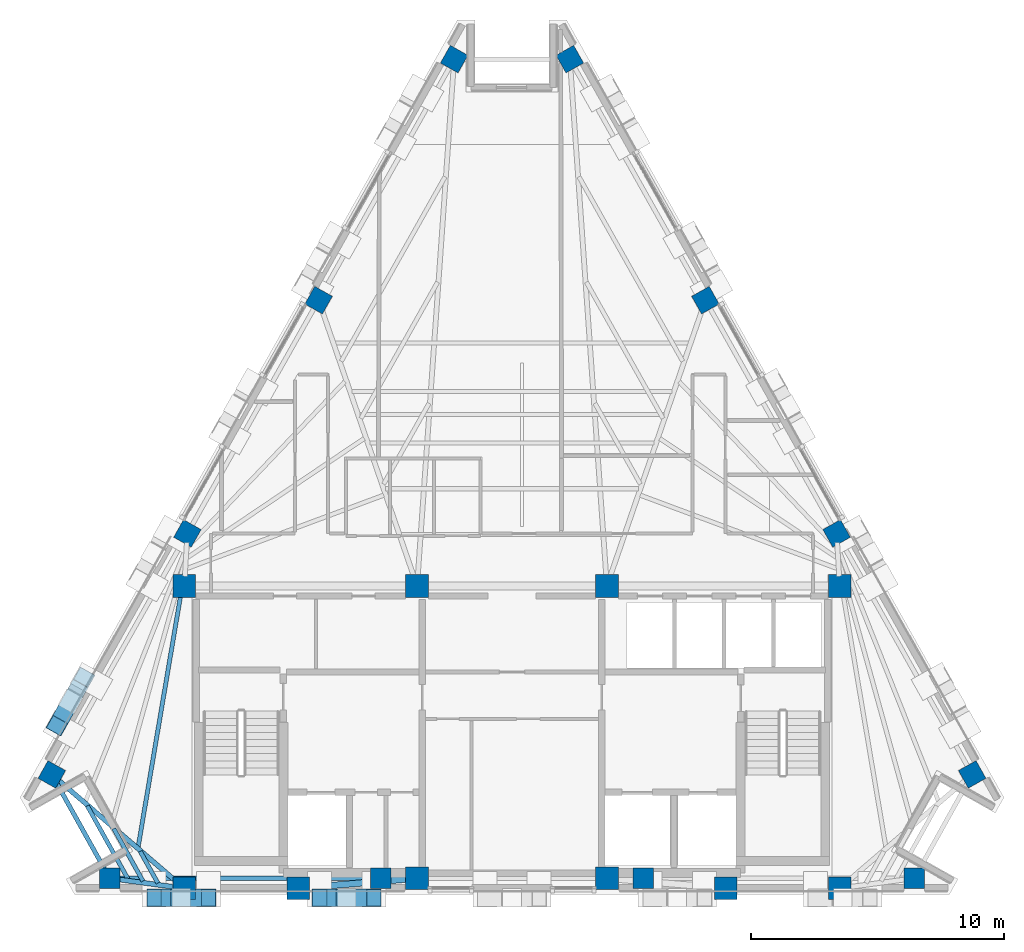
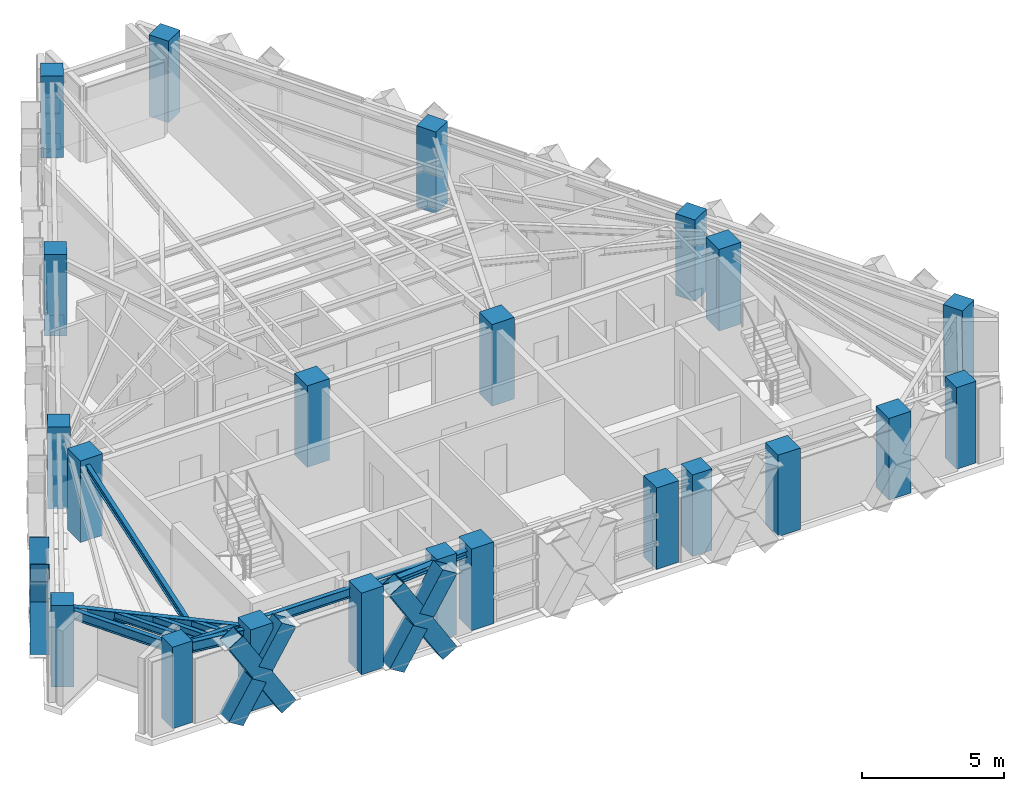
# One storey, part 1 of 11: 22 columns, 9 beams, 8 members.
"""IFC4 building model written with IfcOpenShell, lengths in metres."""

from ifc_helpers import new_model, si_unit, direction, frame, origin, origin_2d, place, context, subcontext, project, spatial, rectangle, hollow_rectangle, i_section, extrude, material, material_profile, profile_set, type_object, element, save


model = new_model("IFC4")

# Units and contexts
model_context = context("Model", 3, precision=1e-05, world=origin(), true_north=direction((0.0, 1.0)))
body_context = subcontext(model_context, "Body", "Model", "MODEL_VIEW")
ifc_project = project(units=[si_unit("LENGTHUNIT", "METRE"), si_unit("AREAUNIT", "SQUARE_METRE"), si_unit("VOLUMEUNIT", "CUBIC_METRE"), si_unit("PLANEANGLEUNIT", "RADIAN"), si_unit("MASSUNIT", "GRAM", prefix="KILO")], contexts=[model_context])

# Site, building, storey
site_placement = place(None, origin())
site = spatial("IfcSite", under=ifc_project, at=site_placement, CompositionType="ELEMENT")
building_placement = place(site_placement, origin())
building = spatial("IfcBuilding", under=site, at=building_placement, Name="Quenlor Broadcast Tower", CompositionType="ELEMENT")
storey_placement = place(building_placement, frame((0.0, 0.0, 263.89990234375)))
storey = spatial("IfcBuildingStorey", under=building, at=storey_placement, Name="L73", CompositionType="ELEMENT", Elevation=263.89990234375)

# Columns
ifc_material_1 = material(Name="Concrete C50/60", Category="concrete")
ifc_material_profile_1 = material_profile(ifc_material_1, rectangle(XDim=0.89990234375, YDim=0.89990234375, at=origin_2d()))
ifc_profile_set_1 = profile_set([ifc_material_profile_1], Name="Concrete C50/60 RC900x900")
column_type_1 = type_object("IfcColumnType", Name="Core Corner Column Upper Concrete C50/60 900", PredefinedType="COLUMN", material=ifc_profile_set_1)
for number, where, z_axis, x_axis, name in (
    (1, (-12.949951171875, -16.75, 0.0), (0.0, 0.0, 1.0), (1.0, 0.0, 0.0), "L73 Core Column CC1"),
    (2, (-8.449951171875, -16.75, 0.0), (0.0, 0.0, 1.0), (1.0, 0.0, 0.0), "L73 Core Column CC2"),
    (3, (-3.75, -16.35009765625, 0.0), (0.0, 0.0, 1.0), (1.0, 0.0, 0.0), "L73 Core Column CC3"),
    (4, (3.75, -16.35009765625, 0.0), (0.0, 0.0, 1.0), (1.0, 0.0, 0.0), "L73 Core Column CC4"),
    (5, (8.449951171875, -16.75, 0.0), (0.0, 0.0, 1.0), (1.0, 0.0, 0.0), "L73 Core Column CC5"),
    (6, (12.949951171875, -16.75, 0.0), (0.0, 0.0, 1.0), (1.0, 0.0, 0.0), "L73 Core Column CC6"),
    (7, (-12.949951171875, -4.800048828125, 0.0), (0.0, 0.0, 1.0), (1.0, 0.0, 0.0), "L73 Core Column CC7"),
    (8, (-3.75, -4.800048828125, 0.0), (0.0, 0.0, 1.0), (1.0, 0.0, 0.0), "L73 Core Column CC8"),
    (9, (3.75, -4.800048828125, 0.0), (0.0, 0.0, 1.0), (1.0, 0.0, 0.0), "L73 Core Column CC9"),
    (10, (12.949951171875, -4.800048828125, 0.0), (0.0, 0.0, 1.0), (1.0, 0.0, 0.0), "L73 Core Column CC10"),
):
    element("IfcColumn", number, at=place(storey_placement, frame(where, z_axis=z_axis, x_axis=x_axis)), inside=storey, type_object=column_type_1, Name=name, PredefinedType="COLUMN", context=body_context, shape_type="SweptSolid", body=[
        extrude(rectangle(XDim=0.89990234375, YDim=0.89990234375, at=origin_2d()), origin(), (0.0, 0.0, 1.0), 3.5),
    ])
ifc_material_2 = material(Name="Concrete C50/60", Category="concrete")
ifc_material_profile_2 = material_profile(ifc_material_2, rectangle(XDim=0.800048828125, YDim=0.800048828125, at=origin_2d()))
ifc_profile_set_2 = profile_set([ifc_material_profile_2], Name="Concrete C50/60 RC800x800")
column_type_2 = type_object("IfcColumnType", Name="Tower Perimeter Column Z5 Concrete C50/60 800", PredefinedType="COLUMN", material=ifc_profile_set_2)
for number, where, z_axis, x_axis, name in (
    (11, (-15.897705078125, -16.35009765625, 0.0), (0.0, 0.0, 1.0), (0.0, 1.0, 0.0), "L73 Perimeter Column S1"),
    (12, (-5.18408203125, -16.35009765625, 0.0), (0.0, 0.0, 1.0), (0.0, 1.0, 0.0), "L73 Perimeter Column S2"),
    (13, (5.18408203125, -16.35009765625, 0.0), (0.0, 0.0, 1.0), (0.0, 1.0, 0.0), "L73 Perimeter Column S3"),
    (14, (15.897705078125, -16.35009765625, 0.0), (0.0, 0.0, 1.0), (0.0, 1.0, 0.0), "L73 Perimeter Column S4"),
    (15, (18.182373046875, -12.25, 0.0), (0.0, 0.0, 1.0), (0.871575139605, 0.490261946333, 0.0), "L73 Perimeter Column NE1"),
    (16, (12.825439453125, -2.726806640625, 0.0), (0.0, 0.0, 1.0), (0.871575139605, 0.490261946333, 0.0), "L73 Perimeter Column NE2"),
    (17, (7.6416015625, 6.4892578125, 0.0), (0.0, 0.0, 1.0), (0.871575139605, 0.490261946333, 0.0), "L73 Perimeter Column NE3"),
    (18, (2.28466796875, 16.012451171875, 0.0), (0.0, 0.0, 1.0), (0.871575139605, 0.490261946333, 0.0), "L73 Perimeter Column NE4"),
    (19, (-2.28466796875, 16.012451171875, 0.0), (0.0, 0.0, 1.0), (-0.871575139605, 0.490261946333, 0.0), "L73 Perimeter Column NW1"),
    (20, (-7.6416015625, 6.4892578125, 0.0), (0.0, 0.0, 1.0), (-0.871575139605, 0.490261946333, 0.0), "L73 Perimeter Column NW2"),
    (21, (-12.825439453125, -2.726806640625, 0.0), (0.0, 0.0, 1.0), (-0.871575139605, 0.490261946333, 0.0), "L73 Perimeter Column NW3"),
    (22, (-18.182373046875, -12.25, 0.0), (0.0, 0.0, 1.0), (-0.871575139605, 0.490261946333, 0.0), "L73 Perimeter Column NW4"),
):
    element("IfcColumn", number, at=place(storey_placement, frame(where, z_axis=z_axis, x_axis=x_axis)), inside=storey, type_object=column_type_2, Name=name, PredefinedType="COLUMN", context=body_context, shape_type="SweptSolid", body=[
        extrude(rectangle(XDim=0.800048828125, YDim=0.800048828125, at=origin_2d()), origin(), (0.0, 0.0, 1.0), 3.5),
    ])

# Beam
ifc_material_3 = material(Name="Steel S355", Category="steel")
ifc_material_profile_3 = material_profile(ifc_material_3, i_section(OverallWidth=0.25390625, OverallDepth=0.25390625, WebThickness=0.008544921875, FlangeThickness=0.01416015625, FilletRadius=0.013916015625, at=origin_2d()))
ifc_profile_set_3 = profile_set([ifc_material_profile_3], Name="Steel S355 250UC72.9")
beam_type_1 = type_object("IfcBeamType", Name="Core Opening Lintel Beam Steel S355 250UC72.9", PredefinedType="LINTEL", material=ifc_profile_set_3)
beam_1_placement = place(storey_placement, frame((-8.09130859375, -16.719482421875, 3.123291015625), z_axis=(0.996399763903, 0.084779186679, 0.0), x_axis=(-0.084779186679, 0.996399763903, 0.0)))
element("IfcBeam", 23, at=beam_1_placement, inside=storey, type_object=beam_type_1, Name="L73 Core Opening Lintel Beam 4", PredefinedType="LINTEL", context=body_context, shape_type="SweptSolid", body=[
    extrude(i_section(OverallWidth=0.25390625, OverallDepth=0.25390625, WebThickness=0.008544921875, FlangeThickness=0.01416015625, FilletRadius=0.013916015625, at=origin_2d()), origin(), (0.0, 0.0, 1.0), 3.9970703125),
])

# Members
ifc_material_4 = material(Name="Steel S355", Category="steel")
ifc_material_profile_4 = material_profile(ifc_material_4, hollow_rectangle(XDim=0.679931640625, YDim=0.679931640625, WallThickness=0.02001953125, at=origin_2d()))
ifc_profile_set_4 = profile_set([ifc_material_profile_4], Name="Steel S355 RHS680x680x20")
member_type = type_object("IfcMemberType", Name="Perimeter Diagonal Lattice Brace Z5-Crown Steel S355 RHS680x20", PredefinedType="BRACE", material=ifc_profile_set_4)
member_1_placement = place(storey_placement, frame((-5.456298828125, -17.1201171875, -0.119873046875), z_axis=(-0.5236596973, 0.0, 0.851927532965), x_axis=(0.0, -1.0, 0.0)))
element("IfcMember", 24, at=member_1_placement, inside=storey, type_object=member_type, Name="L73 Perimeter Diamond Lattice S-C4XA", PredefinedType="BRACE", context=body_context, shape_type="SweptSolid", body=[
    extrude(hollow_rectangle(XDim=0.679931640625, YDim=0.679931640625, WallThickness=0.02001953125, at=origin_2d()), origin(), (0.0, 0.0, 1.0), 4.1083984375),
])
member_2_placement = place(storey_placement, frame((-7.607666015625, -17.1201171875, -0.119873046875), z_axis=(0.523719849356, 0.0, 0.851890555993), x_axis=(0.0, 1.0, 0.0)))
element("IfcMember", 25, at=member_2_placement, inside=storey, type_object=member_type, Name="L73 Perimeter Diamond Lattice S-C4XB1", PredefinedType="BRACE", context=body_context, shape_type="SweptSolid", body=[
    extrude(hollow_rectangle(XDim=0.679931640625, YDim=0.679931640625, WallThickness=0.02001953125, at=origin_2d()), origin(), (0.0, 0.0, 1.0), 1.803955078125),
])
member_3_placement = place(storey_placement, frame((-6.401123046875, -17.1201171875, 1.843017578125), z_axis=(0.523659478087, 0.0, 0.85192766771), x_axis=(0.0, 1.0, 0.0)))
element("IfcMember", 26, at=member_3_placement, inside=storey, type_object=member_type, Name="L73 Perimeter Diamond Lattice S-C4XB2", PredefinedType="BRACE", context=body_context, shape_type="SweptSolid", body=[
    extrude(hollow_rectangle(XDim=0.679931640625, YDim=0.679931640625, WallThickness=0.02001953125, at=origin_2d()), origin(), (0.0, 0.0, 1.0), 1.80419921875),
])
member_4_placement = place(storey_placement, frame((-11.98828125, -17.1201171875, -0.119873046875), z_axis=(-0.5236596973, 0.0, 0.851927532965), x_axis=(0.0, -1.0, 0.0)))
element("IfcMember", 27, at=member_4_placement, inside=storey, type_object=member_type, Name="L73 Perimeter Diamond Lattice S-C5XA", PredefinedType="BRACE", context=body_context, shape_type="SweptSolid", body=[
    extrude(hollow_rectangle(XDim=0.679931640625, YDim=0.679931640625, WallThickness=0.02001953125, at=origin_2d()), origin(), (0.0, 0.0, 1.0), 4.1083984375),
])
member_5_placement = place(storey_placement, frame((-14.1396484375, -17.1201171875, -0.119873046875), z_axis=(0.523719849356, 0.0, 0.851890555993), x_axis=(0.0, 1.0, 0.0)))
element("IfcMember", 28, at=member_5_placement, inside=storey, type_object=member_type, Name="L73 Perimeter Diamond Lattice S-C5XB1", PredefinedType="BRACE", context=body_context, shape_type="SweptSolid", body=[
    extrude(hollow_rectangle(XDim=0.679931640625, YDim=0.679931640625, WallThickness=0.02001953125, at=origin_2d()), origin(), (0.0, 0.0, 1.0), 1.803955078125),
])
member_6_placement = place(storey_placement, frame((-12.93310546875, -17.1201171875, 1.843017578125), z_axis=(0.523659478087, 0.0, 0.85192766771), x_axis=(0.0, 1.0, 0.0)))
element("IfcMember", 29, at=member_6_placement, inside=storey, type_object=member_type, Name="L73 Perimeter Diamond Lattice S-C5XB2", PredefinedType="BRACE", context=body_context, shape_type="SweptSolid", body=[
    extrude(hollow_rectangle(XDim=0.679931640625, YDim=0.679931640625, WallThickness=0.02001953125, at=origin_2d()), origin(), (0.0, 0.0, 1.0), 1.80419921875),
])
member_7_placement = place(storey_placement, frame((-17.982421875, -10.323974609375, -0.119873046875), z_axis=(0.260618804175, 0.463276364439, 0.847025884529), x_axis=(-0.8715547569, 0.490298180422, 0.0)))
element("IfcMember", 30, at=member_7_placement, inside=storey, type_object=member_type, Name="L73 Perimeter Diamond Lattice NW-C1XA", PredefinedType="BRACE", context=body_context, shape_type="SweptSolid", body=[
    extrude(hollow_rectangle(XDim=0.679931640625, YDim=0.679931640625, WallThickness=0.02001953125, at=origin_2d()), origin(), (0.0, 0.0, 1.0), 4.132080078125),
])
member_8_placement = place(storey_placement, frame((-17.509033203125, -9.482666015625, 1.841796875), z_axis=(-0.260656806259, -0.463240512825, 0.847033798988), x_axis=(0.871507987664, -0.490381308207, 0.0)))
element("IfcMember", 31, at=member_8_placement, inside=storey, type_object=member_type, Name="L73 Perimeter Diamond Lattice NW-C1XB2", PredefinedType="BRACE", context=body_context, shape_type="SweptSolid", body=[
    extrude(hollow_rectangle(XDim=0.679931640625, YDim=0.679931640625, WallThickness=0.02001953125, at=origin_2d()), origin(), (0.0, 0.0, 1.0), 1.816162109375),
])

# Beams
ifc_material_5 = material(Name="Steel S355", Category="steel")
ifc_material_profile_5 = material_profile(ifc_material_5, i_section(OverallWidth=0.177978515625, OverallDepth=0.406494140625, WebThickness=0.0078125, FlangeThickness=0.0126953125, FilletRadius=0.011474609375, at=origin_2d()))
ifc_profile_set_5 = profile_set([ifc_material_profile_5], Name="Steel S355 410UB59.7")
beam_type_2 = type_object("IfcBeamType", Name="Perimeter Spandrel Beam Z5 Steel S355 410UB59.7", PredefinedType="SPANDREL", material=ifc_profile_set_5)
beam_2_placement = place(storey_placement, frame((-15.53759765625, -16.35009765625, 3.046875), z_axis=(1.0, 0.0, 0.0), x_axis=(0.0, 1.0, 0.0)))
element("IfcBeam", 32, at=beam_2_placement, inside=storey, type_object=beam_type_2, Name="L73 Spandrel Beam S1-S2", PredefinedType="SPANDREL", context=body_context, shape_type="SweptSolid", body=[
    extrude(i_section(OverallWidth=0.177978515625, OverallDepth=0.406494140625, WebThickness=0.0078125, FlangeThickness=0.0126953125, FilletRadius=0.011474609375, at=origin_2d()), origin(), (0.0, 0.0, 1.0), 9.99365234375),
])
beam_3_placement = place(storey_placement, frame((-18.007080078125, -12.564453125, 3.046875), z_axis=(0.486800618374, -0.873513112638, 0.0), x_axis=(0.873513112638, 0.486800618374, 0.0)))
element("IfcBeam", 33, at=beam_3_placement, inside=storey, type_object=beam_type_2, Name="L73 Spandrel Beam NW4-S1", PredefinedType="SPANDREL", context=body_context, shape_type="SweptSolid", body=[
    extrude(i_section(OverallWidth=0.177978515625, OverallDepth=0.406494140625, WebThickness=0.0078125, FlangeThickness=0.0126953125, FilletRadius=0.011474609375, at=origin_2d()), origin(), (0.0, 0.0, 1.0), 3.9736328125),
])
ifc_material_6 = material(Name="Steel S355", Category="steel")
ifc_material_profile_6 = material_profile(ifc_material_6, i_section(OverallWidth=0.166015625, OverallDepth=0.30712890625, WebThickness=0.006591796875, FlangeThickness=0.01171875, FilletRadius=0.011474609375, at=origin_2d()))
ifc_profile_set_6 = profile_set([ifc_material_profile_6], Name="Steel S355 310UB46.2")
beam_type_3 = type_object("IfcBeamType", Name="Tower Composite Joist Z4-Z5 Steel S355 310UB46.2", PredefinedType="JOIST", material=ifc_profile_set_6)
beam_4_placement = place(storey_placement, frame((-14.76806640625, -15.09619140625, 3.096435546875), z_axis=(0.166553293246, 0.986032454085, 0.0), x_axis=(-0.986032454085, 0.166553293246, 0.0)))
element("IfcBeam", 34, at=beam_4_placement, inside=storey, type_object=beam_type_3, Name="L73 Secondary Composite Joist 13", PredefinedType="JOIST", context=body_context, shape_type="SweptSolid", body=[
    extrude(i_section(OverallWidth=0.166015625, OverallDepth=0.30712890625, WebThickness=0.006591796875, FlangeThickness=0.01171875, FilletRadius=0.011474609375, at=origin_2d()), origin(), (0.0, 0.0, 1.0), 11.097900390625),
])
beam_5_placement = place(storey_placement, frame((-13.9912109375, -16.544189453125, 3.096435546875), z_axis=(-0.486624304452, 0.873611347406, 0.0), x_axis=(-0.873611347406, -0.486624304452, 0.0)))
element("IfcBeam", 35, at=beam_5_placement, inside=storey, type_object=beam_type_3, Name="L73 Secondary Composite Joist 19", PredefinedType="JOIST", context=body_context, shape_type="SweptSolid", body=[
    extrude(i_section(OverallWidth=0.166015625, OverallDepth=0.30712890625, WebThickness=0.006591796875, FlangeThickness=0.01171875, FilletRadius=0.011474609375, at=origin_2d()), origin(), (0.0, 0.0, 1.0), 1.435791015625),
])
beam_6_placement = place(storey_placement, frame((-14.58056640625, -16.464111328125, 3.096435546875), z_axis=(-0.486820963037, 0.873501774439, 0.0), x_axis=(-0.873501774439, -0.486820963037, 0.0)))
element("IfcBeam", 36, at=beam_6_placement, inside=storey, type_object=beam_type_3, Name="L73 Secondary Composite Joist 20", PredefinedType="JOIST", context=body_context, shape_type="SweptSolid", body=[
    extrude(i_section(OverallWidth=0.166015625, OverallDepth=0.30712890625, WebThickness=0.006591796875, FlangeThickness=0.01171875, FilletRadius=0.011474609375, at=origin_2d()), origin(), (0.0, 0.0, 1.0), 2.37451171875),
])
beam_7_placement = place(storey_placement, frame((-15.170166015625, -16.384033203125, 3.096435546875), z_axis=(-0.486762404011, 0.873534408046, 0.0), x_axis=(-0.873534408046, -0.486762404011, 0.0)))
element("IfcBeam", 37, at=beam_7_placement, inside=storey, type_object=beam_type_3, Name="L73 Secondary Composite Joist 21", PredefinedType="JOIST", context=body_context, shape_type="SweptSolid", body=[
    extrude(i_section(OverallWidth=0.166015625, OverallDepth=0.30712890625, WebThickness=0.006591796875, FlangeThickness=0.01171875, FilletRadius=0.011474609375, at=origin_2d()), origin(), (0.0, 0.0, 1.0), 3.313232421875),
])
ifc_material_7 = material(Name="Steel S355", Category="steel")
ifc_material_profile_7 = material_profile(ifc_material_7, i_section(OverallWidth=0.19091796875, OverallDepth=0.46044921875, WebThickness=0.010009765625, FlangeThickness=0.01611328125, FilletRadius=0.011474609375, at=origin_2d()))
ifc_profile_set_7 = profile_set([ifc_material_profile_7], Name="Steel S355 460UB82.1")
beam_type_4 = type_object("IfcBeamType", Name="Tower Primary Floor Beam Z5 Steel S355 460UB82.1", PredefinedType="BEAM", material=ifc_profile_set_7)
beam_8_placement = place(storey_placement, frame((-15.541015625, -16.3984375, 3.02001953125), z_axis=(0.990917044125, -0.134474576267, 0.0), x_axis=(0.134474576267, 0.990917044125, 0.0)))
element("IfcBeam", 38, at=beam_8_placement, inside=storey, type_object=beam_type_4, Name="L73 Primary Radial Beam S1", PredefinedType="BEAM", context=body_context, shape_type="SweptSolid", body=[
    extrude(i_section(OverallWidth=0.19091796875, OverallDepth=0.46044921875, WebThickness=0.010009765625, FlangeThickness=0.01611328125, FilletRadius=0.011474609375, at=origin_2d()), origin(), (0.0, 0.0, 1.0), 2.23486328125),
])
beam_9_placement = place(storey_placement, frame((-17.909423828125, -12.484619140625, 3.02001953125), z_axis=(0.75817030855, -0.652056579779, 0.0), x_axis=(0.652056579779, 0.75817030855, 0.0)))
element("IfcBeam", 39, at=beam_9_placement, inside=storey, type_object=beam_type_4, Name="L73 Primary Radial Beam NW4", PredefinedType="BEAM", context=body_context, shape_type="SweptSolid", body=[
    extrude(i_section(OverallWidth=0.19091796875, OverallDepth=0.46044921875, WebThickness=0.010009765625, FlangeThickness=0.01611328125, FilletRadius=0.011474609375, at=origin_2d()), origin(), (0.0, 0.0, 1.0), 6.161376953125),
])

save(model, "model.ifc")
